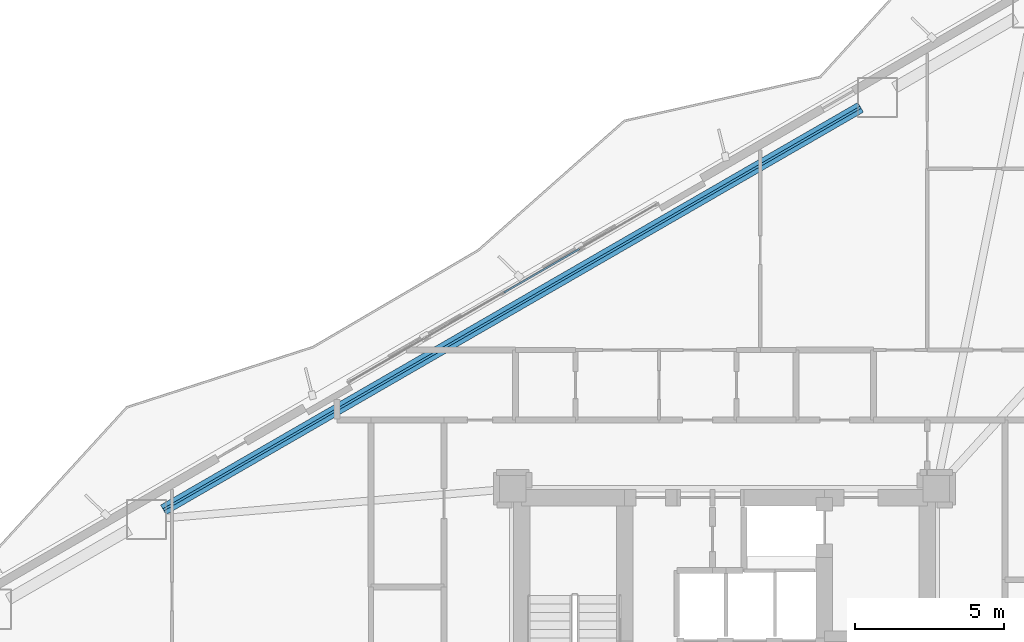
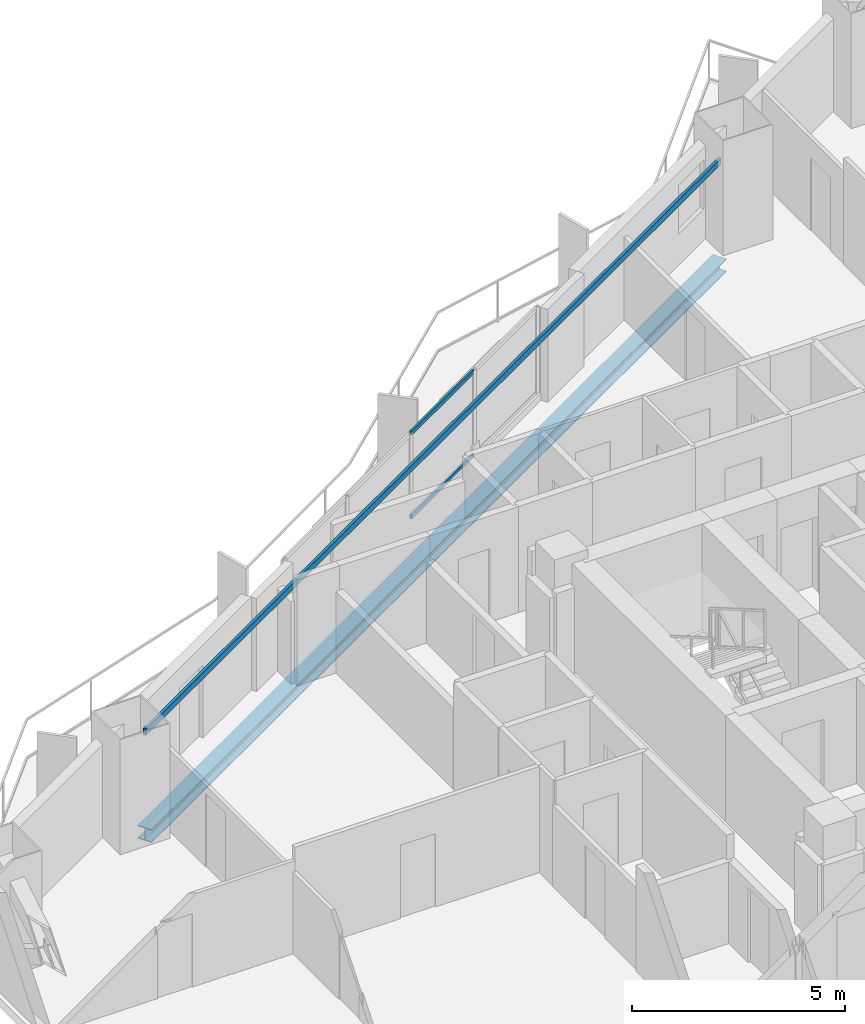
# One storey, part 8 of 19: 2 beams, 2 members, 1 element without a shape of its own.
"""IFC4 building model written with IfcOpenShell, lengths in metres."""

from ifc_helpers import new_model, si_unit, direction, frame, origin, origin_2d, place, context, subcontext, project, spatial, hollow_rectangle, i_section, extrude, material, layer, layer_set, material_profile, profile_set, type_object, element, aggregate, save


model = new_model("IFC4")

# Units and contexts
model_context = context("Model", 3, precision=1e-05, world=origin(), true_north=direction((0.0, 1.0)))
body_context = subcontext(model_context, "Body", "Model", "MODEL_VIEW")
ifc_project = project(units=[si_unit("LENGTHUNIT", "METRE"), si_unit("AREAUNIT", "SQUARE_METRE"), si_unit("VOLUMEUNIT", "CUBIC_METRE"), si_unit("PLANEANGLEUNIT", "RADIAN"), si_unit("MASSUNIT", "GRAM", prefix="KILO")], contexts=[model_context])

# Site, building, storey
site_placement = place(None, origin())
site = spatial("IfcSite", under=ifc_project, at=site_placement, CompositionType="ELEMENT")
building_placement = place(site_placement, origin())
building = spatial("IfcBuilding", under=site, at=building_placement, Name="Mersakhor Tower and Convention Hall", CompositionType="ELEMENT")
storey_placement = place(building_placement, frame((0.0, 0.0, 25.800048828125)))
storey = spatial("IfcBuildingStorey", under=building, at=storey_placement, Name="L06", CompositionType="ELEMENT", Elevation=25.800048828125)

# Beams
ifc_material_1 = material(Name="Steel S355", Category="steel")
ifc_material_profile_1 = material_profile(ifc_material_1, hollow_rectangle(XDim=0.080078125, YDim=0.179931640625, WallThickness=0.008056640625, at=origin_2d()), Name="RHS 180x80x8")
ifc_profile_set_1 = profile_set([ifc_material_profile_1], Name="Steel S355")
beam_type_1 = type_object("IfcBeamType", Name="BM-GRT-RHS180", PredefinedType="USERDEFINED", material=ifc_profile_set_1)
beam_1_placement = place(storey_placement, frame((10.183837890625, 32.341064453125, 2.47998046875), z_axis=(0.866025970279, 0.499999018801, 0.0), x_axis=(-0.499999018801, 0.866025970279, 0.0)))
element("IfcBeam", 1, at=beam_1_placement, inside=storey, type_object=beam_type_1, Name="L06 Facade Support Girt GRT-F1", ObjectType="GIRT", PredefinedType="USERDEFINED", context=body_context, shape_type="SweptSolid", body=[
    extrude(hollow_rectangle(XDim=0.080078125, YDim=0.179931640625, WallThickness=0.008056640625, at=origin_2d()), origin(), (0.0, 0.0, 1.0), 26.99951171875),
])
ifc_material_2 = material(Name="Steel S355", Category="steel")
ifc_material_profile_2 = material_profile(ifc_material_2, i_section(OverallWidth=0.374755859375, OverallDepth=0.37451171875, WebThickness=0.0166015625, FlangeThickness=0.027099609375, at=origin_2d()), Name="UC 356x368x202")
ifc_profile_set_2 = profile_set([ifc_material_profile_2], Name="Steel S355")
beam_type_2 = type_object("IfcBeamType", Name="BM-SPD-UC356", PredefinedType="SPANDREL", material=ifc_profile_set_2)
beam_2_placement = place(storey_placement, frame((10.183837890625, 32.341064453125, -0.447265625), z_axis=(0.866025970279, 0.499999018801, 0.0), x_axis=(-0.499999018801, 0.866025970279, 0.0)))
element("IfcBeam", 2, at=beam_2_placement, inside=storey, type_object=beam_type_2, Name="L06 Perimeter Spandrel Beam SPB-02", PredefinedType="SPANDREL", context=body_context, shape_type="SweptSolid", body=[
    extrude(i_section(OverallWidth=0.374755859375, OverallDepth=0.37451171875, WebThickness=0.0166015625, FlangeThickness=0.027099609375, at=origin_2d()), origin(), (0.0, 0.0, 1.0), 26.99951171875),
])

# Curtain wall, members
ifc_material_3 = material(Name="Dark solar low-E aluminium curtain wall", Category="aluminium")
ifc_layer = layer(ifc_material_3, 0.159912109375)
ifc_layer_set = layer_set([ifc_layer], Name="Dark solar low-E aluminium curtain wall")
curtain_wall_type = type_object("IfcCurtainWallType", Name="CW-SYS-01", PredefinedType="USERDEFINED", material=ifc_layer_set)
curtain_wall_placement = place(storey_placement, origin())
curtain_wall = element("IfcCurtainWall", 3, at=curtain_wall_placement, inside=storey, type_object=curtain_wall_type, Name="L06 Dark-Glass Curtain Wall F1-B2", ObjectType="CURTAIN WALL", PredefinedType="USERDEFINED")
ifc_material_4 = material(Name="Anodised aluminium EN AW-6063 T6", Category="aluminium")
ifc_material_profile_3 = material_profile(ifc_material_4, hollow_rectangle(XDim=0.06005859375, YDim=0.1201171875, WallThickness=0.0048828125, at=origin_2d()), Name="RHS 120x60x5")
ifc_profile_set_3 = profile_set([ifc_material_profile_3], Name="Anodised aluminium EN AW-6063 T6")
member_type = type_object("IfcMemberType", Name="CWT-120x60", PredefinedType="USERDEFINED", material=ifc_profile_set_3)
member_1_placement = place(storey_placement, frame((21.607421875, 39.629150390625, 0.22998046875), z_axis=(0.866015622527, 0.500016941252, 0.0), x_axis=(-0.500016941252, 0.866015622527, 0.0)))
member_1 = element("IfcMember", 4, at=member_1_placement, type_object=member_type, Name="CW-01 transom 3.1", ObjectType="TRANSOM", PredefinedType="USERDEFINED", context=body_context, shape_type="SweptSolid", body=[
    extrude(hollow_rectangle(XDim=0.06005859375, YDim=0.1201171875, WallThickness=0.0048828125, at=origin_2d()), origin(), (0.0, 0.0, 1.0), 2.91845703125),
])
member_2_placement = place(storey_placement, frame((21.607421875, 39.629150390625, 2.6298828125), z_axis=(0.866015622527, 0.500016941252, 0.0), x_axis=(-0.500016941252, 0.866015622527, 0.0)))
member_2 = element("IfcMember", 5, at=member_2_placement, type_object=member_type, Name="CW-01 transom 3.2", ObjectType="TRANSOM", PredefinedType="USERDEFINED", context=body_context, shape_type="SweptSolid", body=[
    extrude(hollow_rectangle(XDim=0.06005859375, YDim=0.1201171875, WallThickness=0.0048828125, at=origin_2d()), origin(), (0.0, 0.0, 1.0), 2.91845703125),
])
aggregate(curtain_wall, [member_1, member_2])

save(model, "model.ifc")
